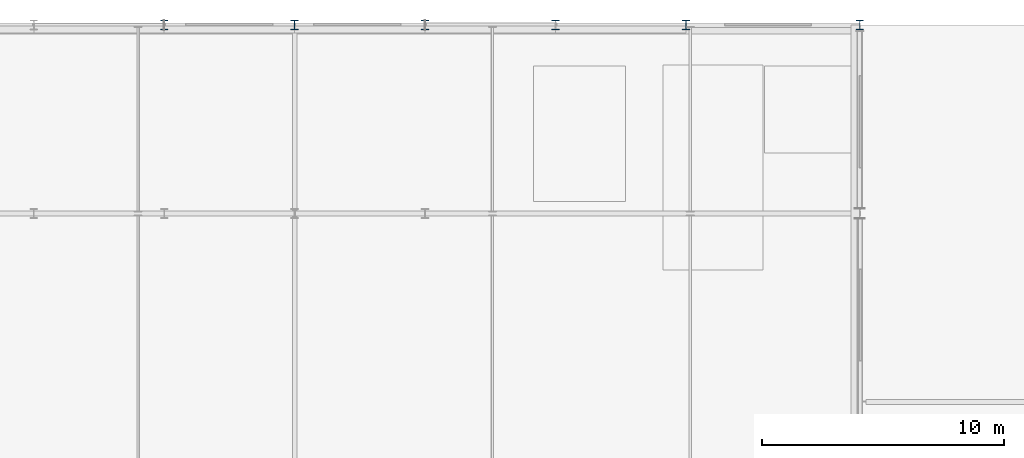
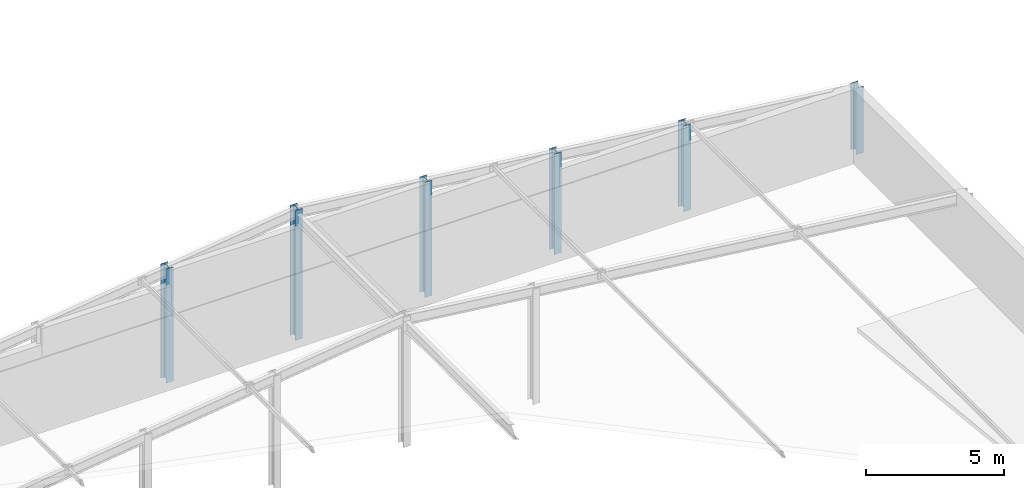
# One storey, part 5 of 27: 6 columns.
"""IFC4 building model written with IfcOpenShell, lengths in metres."""

from ifc_helpers import new_model, si_unit, direction, frame, origin, origin_2d, place, context, subcontext, project, spatial, i_section, extrude, material, material_profile, profile_set, type_object, element, save


model = new_model("IFC4")

# Units and contexts
model_context = context("Model", 3, precision=1e-05, world=origin(), true_north=direction((0.0, 1.0)))
body_context = subcontext(model_context, "Body", "Model", "MODEL_VIEW")
ifc_project = project(units=[si_unit("LENGTHUNIT", "METRE"), si_unit("AREAUNIT", "SQUARE_METRE"), si_unit("VOLUMEUNIT", "CUBIC_METRE"), si_unit("PLANEANGLEUNIT", "RADIAN"), si_unit("MASSUNIT", "GRAM", prefix="KILO")], contexts=[model_context])

# Site, building, storey
site_placement = place(None, origin())
site = spatial("IfcSite", under=ifc_project, at=site_placement, CompositionType="ELEMENT")
building_placement = place(site_placement, origin())
building = spatial("IfcBuilding", under=site, at=building_placement, Name="Tazoul Stagehouse", CompositionType="ELEMENT")
storey_placement = place(building_placement, frame((0.0, 0.0, 24.89990234375)))
storey = spatial("IfcBuildingStorey", under=building, at=storey_placement, Name="RF", CompositionType="ELEMENT", Elevation=24.89990234375)

# Columns
ifc_material = material(Name="Steel S355", Category="steel")
ifc_material_profile = material_profile(ifc_material, i_section(OverallWidth=0.300048828125, OverallDepth=0.39990234375, WebThickness=0.013427734375, FlangeThickness=0.02392578125, FilletRadius=0.027099609375, at=origin_2d()), Name="HEB 400")
ifc_profile_set = profile_set([ifc_material_profile], Name="Steel S355")
column_type = type_object("IfcColumnType", Name="Steel Column HEB 400 (Exterior)", PredefinedType="COLUMN", material=ifc_profile_set)
column_1_placement = place(storey_placement, frame((73.800048828125, 111.800048828125, 0.0), z_axis=(0.0, 0.0, 1.0), x_axis=(1.0, 0.0, 0.0)))
element("IfcColumn", 1, at=column_1_placement, inside=storey, type_object=column_type, Name="RF Fly-Tower Column SC-04E at 11/R", PredefinedType="COLUMN", context=body_context, shape_type="SweptSolid", body=[
    extrude(i_section(OverallWidth=0.300048828125, OverallDepth=0.39990234375, WebThickness=0.013427734375, FlangeThickness=0.02392578125, FilletRadius=0.027099609375, at=origin_2d()), origin(), (0.0, 0.0, 1.0), 5.030029296875),
])
column_2_placement = place(storey_placement, frame((79.199951171875, 111.800048828125, 0.0), z_axis=(0.0, 0.0, 1.0), x_axis=(1.0, 0.0, 0.0)))
element("IfcColumn", 2, at=column_2_placement, inside=storey, type_object=column_type, Name="RF Fly-Tower Column SC-04E at 12/R", PredefinedType="COLUMN", context=body_context, shape_type="SweptSolid", body=[
    extrude(i_section(OverallWidth=0.300048828125, OverallDepth=0.39990234375, WebThickness=0.013427734375, FlangeThickness=0.02392578125, FilletRadius=0.027099609375, at=origin_2d()), origin(), (0.0, 0.0, 1.0), 5.72998046875),
])
column_3_placement = place(storey_placement, frame((84.60009765625, 111.800048828125, 0.0), z_axis=(0.0, 0.0, 1.0), x_axis=(1.0, 0.0, 0.0)))
element("IfcColumn", 3, at=column_3_placement, inside=storey, type_object=column_type, Name="RF Fly-Tower Column SC-04E at 13/R", PredefinedType="COLUMN", context=body_context, shape_type="SweptSolid", body=[
    extrude(i_section(OverallWidth=0.300048828125, OverallDepth=0.39990234375, WebThickness=0.013427734375, FlangeThickness=0.02392578125, FilletRadius=0.027099609375, at=origin_2d()), origin(), (0.0, 0.0, 1.0), 5.083984375),
])
column_4_placement = place(storey_placement, frame((90.0, 111.800048828125, 0.0), z_axis=(0.0, 0.0, 1.0), x_axis=(1.0, 0.0, 0.0)))
element("IfcColumn", 4, at=column_4_placement, inside=storey, type_object=column_type, Name="RF Fly-Tower Column SC-04E at 14/R", PredefinedType="COLUMN", context=body_context, shape_type="SweptSolid", body=[
    extrude(i_section(OverallWidth=0.300048828125, OverallDepth=0.39990234375, WebThickness=0.013427734375, FlangeThickness=0.02392578125, FilletRadius=0.027099609375, at=origin_2d()), origin(), (0.0, 0.0, 1.0), 4.437744140625),
])
column_5_placement = place(storey_placement, frame((95.39990234375, 111.800048828125, 0.0), z_axis=(0.0, 0.0, 1.0), x_axis=(1.0, 0.0, 0.0)))
element("IfcColumn", 5, at=column_5_placement, inside=storey, type_object=column_type, Name="RF Fly-Tower Column SC-04E at 15/R", PredefinedType="COLUMN", context=body_context, shape_type="SweptSolid", body=[
    extrude(i_section(OverallWidth=0.300048828125, OverallDepth=0.39990234375, WebThickness=0.013427734375, FlangeThickness=0.02392578125, FilletRadius=0.027099609375, at=origin_2d()), origin(), (0.0, 0.0, 1.0), 3.79150390625),
])
column_6_placement = place(storey_placement, frame((102.60009765625, 111.800048828125, 0.0), z_axis=(0.0, 0.0, 1.0), x_axis=(1.0, 0.0, 0.0)))
element("IfcColumn", 6, at=column_6_placement, inside=storey, type_object=column_type, Name="RF Fly-Tower Column SC-04E at 16/R", PredefinedType="COLUMN", context=body_context, shape_type="SweptSolid", body=[
    extrude(i_section(OverallWidth=0.300048828125, OverallDepth=0.39990234375, WebThickness=0.013427734375, FlangeThickness=0.02392578125, FilletRadius=0.027099609375, at=origin_2d()), origin(), (0.0, 0.0, 1.0), 2.93017578125),
])

save(model, "model.ifc")
